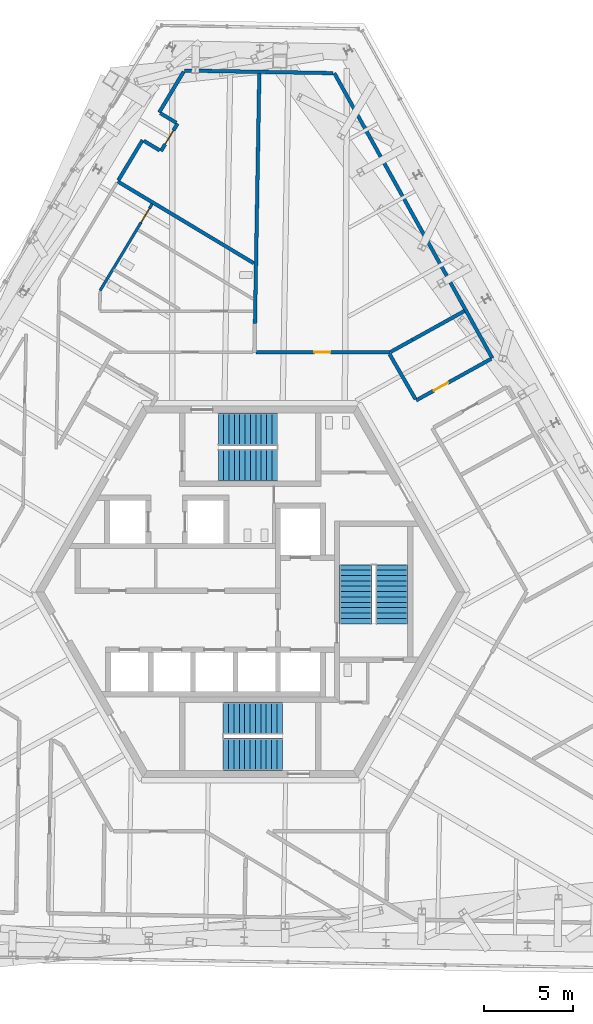
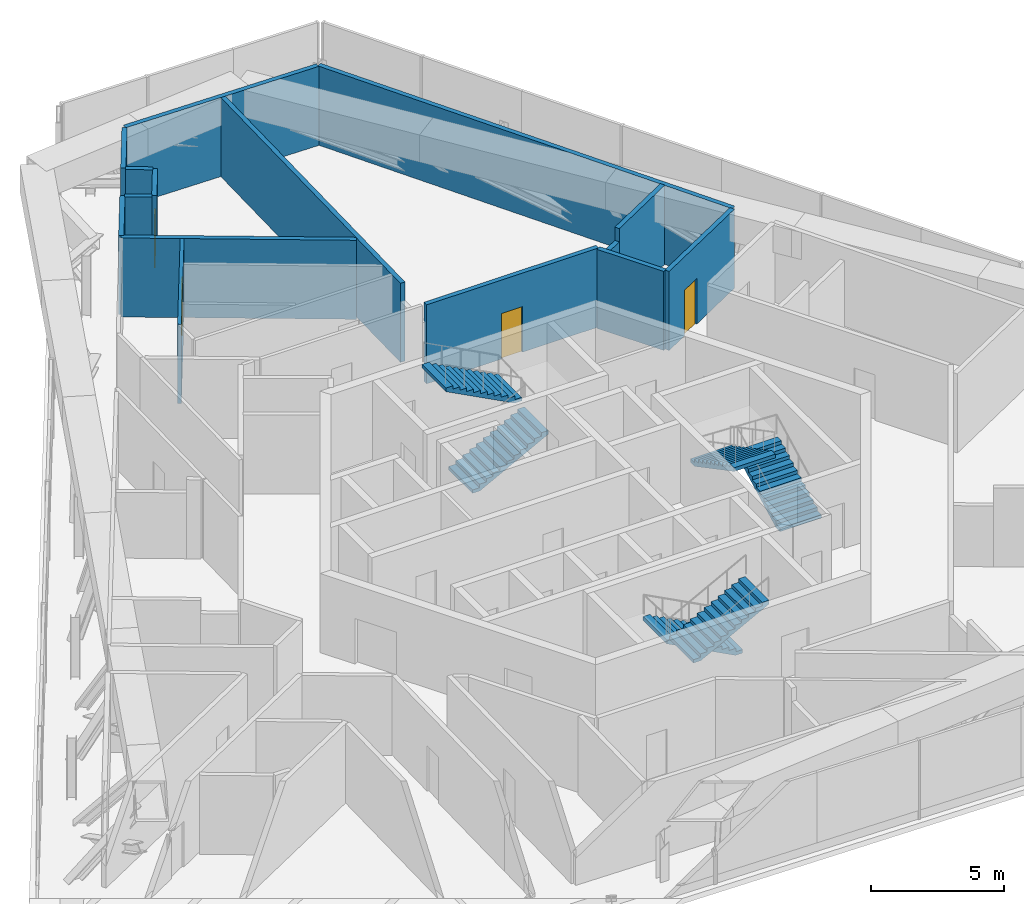
# One storey, part 19 of 28: 15 walls, 6 stair flights, 4 doors, 4 openings, 3 elements without a shape of their own.
"""IFC4 building model written with IfcOpenShell, lengths in metres."""

from ifc_helpers import new_model, si_unit, direction, frame, frame_2d, origin, place, context, subcontext, project, spatial, polyline, rectangle, outline, extrude, source, transform, mapped, material, layer, layer_set, type_object, element, fill, aggregate, save


model = new_model("IFC4")

# Units and contexts
model_context = context("Model", 3, precision=1e-05, world=origin(), true_north=direction((0.0, 1.0)))
body_context = subcontext(model_context, "Body", "Model", "MODEL_VIEW")
ifc_project = project(units=[si_unit("LENGTHUNIT", "METRE"), si_unit("AREAUNIT", "SQUARE_METRE"), si_unit("VOLUMEUNIT", "CUBIC_METRE"), si_unit("PLANEANGLEUNIT", "RADIAN"), si_unit("MASSUNIT", "GRAM", prefix="KILO")], contexts=[model_context])

# Site, building, storey
site_placement = place(None, origin())
site = spatial("IfcSite", under=ifc_project, at=site_placement, CompositionType="ELEMENT")
building_placement = place(site_placement, origin())
building = spatial("IfcBuilding", under=site, at=building_placement, Name="Triune Harvest Tower", CompositionType="ELEMENT")
storey_placement = place(building_placement, frame((0.0, 0.0, 215.89990234375)))
storey = spatial("IfcBuildingStorey", under=building, at=storey_placement, Name="L56", CompositionType="ELEMENT", Elevation=215.89990234375)

# Wall, opening, door
ifc_material_1 = material(Name="Gypsum board on steel studs", Category="steel")
ifc_layer_1 = layer(ifc_material_1, 0.14990234375)
ifc_layer_set_1 = layer_set([ifc_layer_1], Name="Gypsum board on steel studs")
wall_type_1 = type_object("IfcWallType", Name="Fire Partition 150 mm", PredefinedType="PARTITIONING", material=ifc_layer_set_1)
wall_1_placement = place(storey_placement, frame((-8.39794921875, 16.8505859375, 0.0), z_axis=(0.0, 0.0, 1.0), x_axis=(0.515028898901, 0.857172814138, 0.0)))
wall_1 = element("IfcWall", 1, at=wall_1_placement, inside=storey, type_object=wall_type_1, Name="Partition L56 059", PredefinedType="PARTITIONING", context=body_context, shape_type="SweptSolid", body=[
    extrude(rectangle(XDim=5.65576171875, YDim=0.14990234375, at=frame_2d((2.827880859375, 0.0))), origin(), (0.0, 0.0, 1.0), 3.64013671875),
])
opening_1_placement = place(wall_1_placement, frame((4.4501953125, 0.0, 0.0)))
opening_1 = element("IfcOpeningElement", 2, at=opening_1_placement, cuts=wall_1, Name="Opening L56-009", PredefinedType="OPENING", context=body_context, shape_type="SweptSolid", body=[
    extrude(rectangle(XDim=0.89990234375, YDim=2.10009765625, at=frame_2d((0.449951171875, 1.050048828125))), frame((0.0, 0.0849609375, 0.0), z_axis=(0.0, -1.0, 0.0), x_axis=(1.0, 0.0, 0.0)), (0.0, 0.0, 1.0), 0.169921875),
])
ifc_material_2 = material(Name="Timber and steel door set", Category="steel")
door_type_1 = type_object("IfcDoorType", Name="Single leaf door FD30 left hand 900 x 2100", OperationType="SINGLE_SWING_LEFT", PredefinedType="DOOR", material=ifc_material_2)
door_1_placement = place(opening_1_placement, origin())
door_1 = element("IfcDoor", 3, at=door_1_placement, inside=storey, type_object=door_type_1, Name="Door L56-009 Women's WC 56.09", OperationType="SINGLE_SWING_LEFT", OverallHeight=2.10009765625, OverallWidth=0.89990234375, PredefinedType="DOOR", context=body_context, shape_type="SweptSolid", body=[
    extrude(rectangle(XDim=0.89990234375, YDim=2.10009765625, at=frame_2d((0.449951171875, 1.050048828125))), frame((0.0, 0.02490234375, 0.0), z_axis=(0.0, -1.0, 0.0), x_axis=(1.0, 0.0, 0.0)), (0.0, 0.0, 1.0), 0.050048828125),
])
fill(opening_1, door_1)

# Walls
ifc_material_3 = material(Name="Gypsum board on steel studs", Category="steel")
ifc_layer_2 = layer(ifc_material_3, 0.199951171875)
ifc_layer_set_2 = layer_set([ifc_layer_2], Name="Gypsum board on steel studs")
wall_type_2 = type_object("IfcWallType", Name="Fire Wall 200 mm", PredefinedType="PARTITIONING", material=ifc_layer_set_2)
wall_2_placement = place(storey_placement, frame((4.703857421875, 29.00732421875, 0.0), z_axis=(0.0, 0.0, 1.0), x_axis=(0.484803374785, -0.874623169026, 0.0)))
element("IfcWall", 4, at=wall_2_placement, inside=storey, type_object=wall_type_2, Name="Partition L56 003", PredefinedType="PARTITIONING", context=body_context, shape_type="SweptSolid", body=[
    extrude(rectangle(XDim=18.226318359375, YDim=0.199951171875, at=frame_2d((9.11328125, 0.0))), origin(), (0.0, 0.0, 1.0), 3.64013671875),
])
wall_3_placement = place(storey_placement, frame((7.789306640625, 13.293212890625, 0.0), z_axis=(0.0, 0.0, 1.0), x_axis=(0.499959940361, -0.866048530993, 0.0)))
element("IfcWall", 5, at=wall_3_placement, inside=storey, type_object=wall_type_2, Name="Partition L56 008", PredefinedType="PARTITIONING", context=body_context, shape_type="SweptSolid", body=[
    extrude(rectangle(XDim=2.906982421875, YDim=0.199951171875, at=frame_2d((1.45361328125, 0.0))), origin(), (0.0, 0.0, 1.0), 3.64013671875),
])
wall_4_placement = place(storey_placement, frame((-3.6884765625, 29.15380859375, 0.0), z_axis=(0.0, 0.0, 1.0), x_axis=(0.999847699381, -0.017452164431, 0.0)))
element("IfcWall", 6, at=wall_4_placement, inside=storey, type_object=wall_type_2, Name="Partition L56 037", PredefinedType="PARTITIONING", context=body_context, shape_type="SweptSolid", body=[
    extrude(rectangle(XDim=8.323486328125, YDim=0.199951171875, at=frame_2d((4.16162109375, 0.0))), origin(), (0.0, 0.0, 1.0), 3.64013671875),
])

# Wall, opening, door
wall_5_placement = place(storey_placement, frame((0.310791015625, 13.392333984375, 0.0), z_axis=(0.0, 0.0, 1.0), x_axis=(1.0, 0.0, 0.0)))
wall_5 = element("IfcWall", 7, at=wall_5_placement, inside=storey, type_object=wall_type_2, Name="Partition L56 042", PredefinedType="PARTITIONING", context=body_context, shape_type="SweptSolid", body=[
    extrude(rectangle(XDim=7.498291015625, YDim=0.199951171875, at=frame_2d((3.7490234375, 0.0))), origin(), (0.0, 0.0, 1.0), 3.64013671875),
])
opening_2_placement = place(wall_5_placement, frame((3.271240234375, 0.0, 0.0)))
opening_2 = element("IfcOpeningElement", 8, at=opening_2_placement, cuts=wall_5, Name="Opening L56-006", PredefinedType="OPENING", context=body_context, shape_type="SweptSolid", body=[
    extrude(rectangle(XDim=0.89990234375, YDim=2.10009765625, at=frame_2d((0.449951171875, 1.050048828125))), frame((0.0, 0.10986328125, 0.0), z_axis=(0.0, -1.0, 0.0), x_axis=(1.0, 0.0, 0.0)), (0.0, 0.0, 1.0), 0.219970703125),
])
ifc_material_4 = material(Name="Timber and steel door set", Category="steel")
door_type_2 = type_object("IfcDoorType", Name="Single leaf door FD60 right hand 900 x 2100", OperationType="SINGLE_SWING_RIGHT", PredefinedType="DOOR", material=ifc_material_4)
door_2_placement = place(opening_2_placement, origin())
door_2 = element("IfcDoor", 9, at=door_2_placement, inside=storey, type_object=door_type_2, Name="Door L56-006 Pump Plant Room 56.06", OperationType="SINGLE_SWING_RIGHT", OverallHeight=2.10009765625, OverallWidth=0.89990234375, PredefinedType="DOOR", context=body_context, shape_type="SweptSolid", body=[
    extrude(rectangle(XDim=0.89990234375, YDim=2.10009765625, at=frame_2d((0.449951171875, 1.050048828125))), frame((0.0, 0.02490234375, 0.0), z_axis=(0.0, -1.0, 0.0), x_axis=(1.0, 0.0, 0.0)), (0.0, 0.0, 1.0), 0.050048828125),
])
fill(opening_2, door_2)

wall_6_placement = place(storey_placement, frame((9.28271484375, 10.70654296875, 0.0), z_axis=(0.0, 0.0, 1.0), x_axis=(0.874618724179, 0.48481139355, 0.0)))
wall_6 = element("IfcWall", 10, at=wall_6_placement, inside=storey, type_object=wall_type_2, Name="Partition L56 056", PredefinedType="PARTITIONING", context=body_context, shape_type="SweptSolid", body=[
    extrude(rectangle(XDim=4.78759765625, YDim=0.199951171875, at=frame_2d((2.393798828125, 0.0))), origin(), (0.0, 0.0, 1.0), 3.64013671875),
])
opening_3_placement = place(wall_6_placement, frame((1.12548828125, 0.0, 0.0)))
opening_3 = element("IfcOpeningElement", 11, at=opening_3_placement, cuts=wall_6, Name="Opening L56-004", PredefinedType="OPENING", context=body_context, shape_type="SweptSolid", body=[
    extrude(rectangle(XDim=0.89990234375, YDim=2.10009765625, at=frame_2d((0.449951171875, 1.050048828125))), frame((0.0, 0.10986328125, 0.0), z_axis=(0.0, -1.0, 0.0), x_axis=(1.0, 0.0, 0.0)), (0.0, 0.0, 1.0), 0.219970703125),
])
ifc_material_5 = material(Name="Timber and steel door set", Category="steel")
door_type_3 = type_object("IfcDoorType", Name="Single leaf door FD60 left hand 900 x 2100", OperationType="SINGLE_SWING_LEFT", PredefinedType="DOOR", material=ifc_material_5)
door_3_placement = place(opening_3_placement, origin())
door_3 = element("IfcDoor", 12, at=door_3_placement, inside=storey, type_object=door_type_3, Name="Door L56-004 Switch Room 56.04", OperationType="SINGLE_SWING_LEFT", OverallHeight=2.10009765625, OverallWidth=0.89990234375, PredefinedType="DOOR", context=body_context, shape_type="SweptSolid", body=[
    extrude(rectangle(XDim=0.89990234375, YDim=2.10009765625, at=frame_2d((0.449951171875, 1.050048828125))), frame((0.0, 0.02490234375, 0.0), z_axis=(0.0, -1.0, 0.0), x_axis=(1.0, 0.0, 0.0)), (0.0, 0.0, 1.0), 0.050048828125),
])
fill(opening_3, door_3)

# Walls
wall_7_placement = place(storey_placement, frame((7.83837890625, 13.408447265625, 0.0), z_axis=(0.0, 0.0, 1.0), x_axis=(0.874624568624, 0.484800849792, 0.0)))
element("IfcWall", 13, at=wall_7_placement, inside=storey, type_object=wall_type_2, Name="Partition L56 057", PredefinedType="PARTITIONING", context=body_context, shape_type="SweptSolid", body=[
    extrude(rectangle(XDim=1.403564453125, YDim=0.199951171875, at=frame_2d((0.70166015625, 0.0))), origin(), (0.0, 0.0, 1.0), 3.02783203125),
])
wall_8_placement = place(storey_placement, frame((9.06591796875, 14.0888671875, 0.0), z_axis=(0.0, 0.0, 1.0), x_axis=(0.874629602635, 0.484791767871, 0.0)))
element("IfcWall", 14, at=wall_8_placement, inside=storey, type_object=wall_type_2, Name="Partition L56 057a", PredefinedType="PARTITIONING", context=body_context, shape_type="SweptSolid", body=[
    extrude(rectangle(XDim=3.33740234375, YDim=0.199951171875, at=frame_2d((1.668701171875, 0.0))), origin(), (0.0, 0.0, 1.0), 3.64013671875),
])

# Wall, opening, door
wall_9_placement = place(storey_placement, frame((-4.995849609375, 24.648193359375, 0.0), z_axis=(0.0, 0.0, 1.0), x_axis=(0.515054195501, 0.857157614267, 0.0)))
wall_9 = element("IfcWall", 15, at=wall_9_placement, inside=storey, type_object=wall_type_2, Name="Partition L56 060", PredefinedType="PARTITIONING", context=body_context, shape_type="SweptSolid", body=[
    extrude(rectangle(XDim=1.7998046875, YDim=0.199951171875, at=frame_2d((0.89990234375, 0.0))), origin(), (0.0, 0.0, 1.0), 3.64013671875),
])
opening_4_placement = place(wall_9_placement, frame((0.449951171875, 0.0, 0.0)))
opening_4 = element("IfcOpeningElement", 16, at=opening_4_placement, cuts=wall_9, Name="Opening L56-007", PredefinedType="OPENING", context=body_context, shape_type="SweptSolid", body=[
    extrude(rectangle(XDim=0.89990234375, YDim=2.10009765625, at=frame_2d((0.449951171875, 1.050048828125))), frame((0.0, 0.10986328125, 0.0), z_axis=(0.0, -1.0, 0.0), x_axis=(1.0, 0.0, 0.0)), (0.0, 0.0, 1.0), 0.219970703125),
])
door_4_placement = place(opening_4_placement, origin())
door_4 = element("IfcDoor", 17, at=door_4_placement, inside=storey, type_object=door_type_2, Name="Door L56-007 Plant room 56.07", OperationType="SINGLE_SWING_RIGHT", OverallHeight=2.10009765625, OverallWidth=0.89990234375, PredefinedType="DOOR", context=body_context, shape_type="SweptSolid", body=[
    extrude(rectangle(XDim=0.89990234375, YDim=2.10009765625, at=frame_2d((0.449951171875, 1.050048828125))), frame((0.0, 0.02490234375, 0.0), z_axis=(0.0, -1.0, 0.0), x_axis=(1.0, 0.0, 0.0)), (0.0, 0.0, 1.0), 0.050048828125),
])
fill(opening_4, door_4)

# Walls
wall_10_placement = place(storey_placement, frame((-7.37548828125, 23.017578125, 0.0), z_axis=(0.0, 0.0, 1.0), x_axis=(0.514974729037, 0.857205359557, 0.0)))
element("IfcWall", 18, at=wall_10_placement, inside=storey, type_object=wall_type_2, Name="Partition L56 065", PredefinedType="PARTITIONING", context=body_context, shape_type="SweptSolid", body=[
    extrude(rectangle(XDim=2.623046875, YDim=0.199951171875, at=frame_2d((1.3115234375, 0.0))), origin(), (0.0, 0.0, 1.0), 3.64013671875),
])
wall_11_placement = place(storey_placement, frame((0.261962890625, 15.007568359375, 0.0), z_axis=(0.0, 0.0, 1.0), x_axis=(0.017449289363, 0.99984774956, 0.0)))
element("IfcWall", 19, at=wall_11_placement, inside=storey, type_object=wall_type_2, Name="Partition L56 073a", PredefinedType="PARTITIONING", context=body_context, shape_type="SweptSolid", body=[
    extrude(rectangle(XDim=14.075439453125, YDim=0.199951171875, at=frame_2d((7.03759765625, 0.0))), origin(), (0.0, 0.0, 1.0), 3.64013671875),
])
shared_shape_1 = source(origin(), body_context, "Body", "SweptSolid", [
    extrude(rectangle(XDim=1.0400390625, YDim=0.199951171875, at=frame_2d((0.52001953125, 0.0))), origin(), (0.0, 0.0, 1.0), 3.64013671875),
])
for number, where, z_axis, x_axis, name in (
    (20, (-5.955810546875, 25.224853515625, 0.0), (0.0, 0.0, 1.0), (0.85714057178, -0.515082556693, 0.0), "Partition L56 026"),
    (21, (-5.02880859375, 26.767822265625, 0.0), (0.0, 0.0, 1.0), (0.85714057178, -0.515082556693, 0.0), "Partition L56 027"),
):
    element("IfcWall", number, at=place(storey_placement, frame(where, z_axis=z_axis, x_axis=x_axis)), inside=storey, type_object=wall_type_2, Name=name, PredefinedType="PARTITIONING", context=body_context, shape_type="MappedRepresentation", body=[
        mapped(shared_shape_1, transform((0.0, 0.0, 0.0), scale=1.0)),
    ])
shared_shape_2 = source(origin(), body_context, "Body", "SweptSolid", [
    extrude(rectangle(XDim=8.873779296875, YDim=0.199951171875, at=frame_2d((4.43701171875, 0.0))), origin(), (0.0, 0.0, 1.0), 3.64013671875),
])
wall_12_placement = place(storey_placement, frame((-7.415283203125, 22.951904296875, 0.0), z_axis=(0.0, 0.0, 1.0), x_axis=(0.857165024317, -0.515041863432, 0.0)))
element("IfcWall", 22, at=wall_12_placement, inside=storey, type_object=wall_type_2, Name="Partition L56 025", PredefinedType="PARTITIONING", context=body_context, shape_type="MappedRepresentation", body=[
    mapped(shared_shape_2, transform((0.0, 0.0, 0.0), scale=1.0)),
])
shared_shape_3 = source(origin(), body_context, "Body", "SweptSolid", [
    extrude(rectangle(XDim=2.665771484375, YDim=0.199951171875, at=frame_2d((1.3330078125, 0.0))), origin(), (0.0, 0.0, 1.0), 3.64013671875),
])
wall_13_placement = place(storey_placement, frame((-5.097412109375, 26.809326171875, 0.0), z_axis=(0.0, 0.0, 1.0), x_axis=(0.515074779356, 0.857145245376, 0.0)))
element("IfcWall", 23, at=wall_13_placement, inside=storey, type_object=wall_type_2, Name="Partition L56 066", PredefinedType="PARTITIONING", context=body_context, shape_type="MappedRepresentation", body=[
    mapped(shared_shape_3, transform((0.0, 0.0, 0.0), scale=1.0)),
])

# Stair, stair flights
ifc_material_6 = material(Name="Concrete 40 MPa", Category="concrete")
stair_type = type_object("IfcStairType", Name="Exit stair 1800 half turn", PredefinedType="HALF_TURN_STAIR", material=ifc_material_6)
stair_1_placement = place(storey_placement, origin())
stair_1 = element("IfcStair", 24, at=stair_1_placement, inside=storey, type_object=stair_type, Name="Exit stair north", PredefinedType="HALF_TURN_STAIR")
ifc_material_7 = material(Name="Concrete 40 MPa", Category="concrete")
stair_flight_type = type_object("IfcStairFlightType", Name="Stair flight 1800", PredefinedType="STRAIGHT", material=ifc_material_7)
shared_shape_4 = source(origin(), body_context, "Body", "SweptSolid", [
    extrude(outline(polyline([(0.0, 0.0), (0.0, 0.158447265625), (0.300048828125, 0.158447265625), (0.300048828125, 0.316650390625), (0.60009765625, 0.316650390625), (0.60009765625, 0.47509765625), (0.89990234375, 0.47509765625), (0.89990234375, 0.63330078125), (1.199951171875, 0.63330078125), (1.199951171875, 0.791748046875), (1.5, 0.791748046875), (1.5, 0.949951171875), (1.800048828125, 0.949951171875), (1.800048828125, 1.1083984375), (2.10009765625, 1.1083984375), (2.10009765625, 1.2666015625), (2.39990234375, 1.2666015625), (2.39990234375, 1.425048828125), (2.699951171875, 1.425048828125), (2.699951171875, 1.583251953125), (3.0, 1.583251953125), (3.0, 1.74169921875), (3.300048828125, 1.74169921875), (3.300048828125, 1.89990234375), (3.300048828125, 1.572021484375), (0.321044921875, 0.0), (0.0, 0.0)])), frame((0.0, 0.89990234375, 0.0), z_axis=(0.0, -1.0, 0.0), x_axis=(1.0, 0.0, 0.0)), (0.0, 0.0, 1.0), 1.800048828125),
])
stair_flight_1_placement = place(storey_placement, frame((-1.7900390625, 7.090087890625, 0.0), z_axis=(0.0, 0.0, 1.0), x_axis=(1.0, 0.0, 0.0)))
stair_flight_1 = element("IfcStairFlight", 25, at=stair_flight_1_placement, type_object=stair_flight_type, Name="ST-1 flight 1", NumberOfRisers=12, NumberOfTreads=11, PredefinedType="STRAIGHT", RiserHeight=0.15833, TreadLength=0.3, context=body_context, shape_type="MappedRepresentation", body=[
    mapped(shared_shape_4, transform((0.0, 0.0, 0.0), scale=1.0)),
])
stair_flight_2_placement = place(storey_placement, frame((1.510009765625, 9.090087890625, 1.900146484375), z_axis=(0.0, 0.0, 1.0), x_axis=(-1.0, 0.0, 0.0)))
stair_flight_2 = element("IfcStairFlight", 26, at=stair_flight_2_placement, type_object=stair_flight_type, Name="ST-1 flight 2", NumberOfRisers=12, NumberOfTreads=11, PredefinedType="STRAIGHT", RiserHeight=0.15833, TreadLength=0.3, context=body_context, shape_type="MappedRepresentation", body=[
    mapped(shared_shape_4, transform((0.0, 0.0, 0.0), scale=1.0)),
])
aggregate(stair_1, [stair_flight_1, stair_flight_2])

stair_2_placement = place(storey_placement, origin())
stair_2 = element("IfcStair", 27, at=stair_2_placement, inside=storey, type_object=stair_type, Name="Exit stair south", PredefinedType="HALF_TURN_STAIR")
stair_flight_3_placement = place(storey_placement, frame((1.7900390625, -7.090087890625, 0.0), z_axis=(0.0, 0.0, 1.0), x_axis=(-1.0, 0.0, 0.0)))
stair_flight_3 = element("IfcStairFlight", 28, at=stair_flight_3_placement, type_object=stair_flight_type, Name="ST-2 flight 1", NumberOfRisers=12, NumberOfTreads=11, PredefinedType="STRAIGHT", RiserHeight=0.15833, TreadLength=0.3, context=body_context, shape_type="MappedRepresentation", body=[
    mapped(shared_shape_4, transform((0.0, 0.0, 0.0), scale=1.0)),
])
stair_flight_4_placement = place(storey_placement, frame((-1.510009765625, -9.090087890625, 1.900146484375), z_axis=(0.0, 0.0, 1.0), x_axis=(1.0, 0.0, 0.0)))
stair_flight_4 = element("IfcStairFlight", 29, at=stair_flight_4_placement, type_object=stair_flight_type, Name="ST-2 flight 2", NumberOfRisers=12, NumberOfTreads=11, PredefinedType="STRAIGHT", RiserHeight=0.15833, TreadLength=0.3, context=body_context, shape_type="MappedRepresentation", body=[
    mapped(shared_shape_4, transform((0.0, 0.0, 0.0), scale=1.0)),
])
aggregate(stair_2, [stair_flight_3, stair_flight_4])

stair_3_placement = place(storey_placement, origin())
stair_3 = element("IfcStair", 30, at=stair_3_placement, inside=storey, type_object=stair_type, Name="Exit stair east", PredefinedType="HALF_TURN_STAIR")
stair_flight_5_placement = place(storey_placement, frame((7.89990234375, -1.7900390625, 0.0), z_axis=(0.0, 0.0, 1.0), x_axis=(0.0, 1.0, 0.0)))
stair_flight_5 = element("IfcStairFlight", 31, at=stair_flight_5_placement, type_object=stair_flight_type, Name="ST-3 flight 1", NumberOfRisers=12, NumberOfTreads=11, PredefinedType="STRAIGHT", RiserHeight=0.15833, TreadLength=0.3, context=body_context, shape_type="MappedRepresentation", body=[
    mapped(shared_shape_4, transform((0.0, 0.0, 0.0), scale=1.0)),
])
stair_flight_6_placement = place(storey_placement, frame((5.89990234375, 1.510009765625, 1.900146484375), z_axis=(0.0, 0.0, 1.0), x_axis=(0.0, -1.0, 0.0)))
stair_flight_6 = element("IfcStairFlight", 32, at=stair_flight_6_placement, type_object=stair_flight_type, Name="ST-3 flight 2", NumberOfRisers=12, NumberOfTreads=11, PredefinedType="STRAIGHT", RiserHeight=0.15833, TreadLength=0.3, context=body_context, shape_type="MappedRepresentation", body=[
    mapped(shared_shape_4, transform((0.0, 0.0, 0.0), scale=1.0)),
])
aggregate(stair_3, [stair_flight_5, stair_flight_6])

save(model, "model.ifc")
